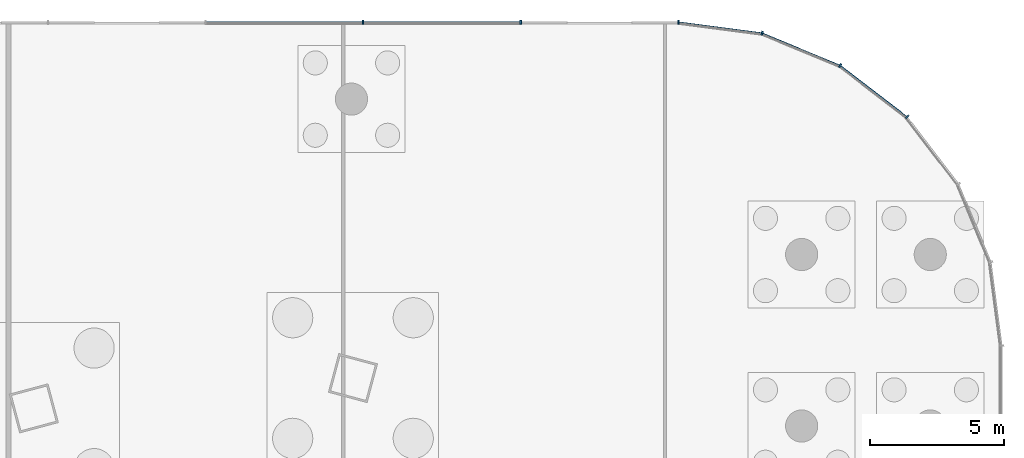
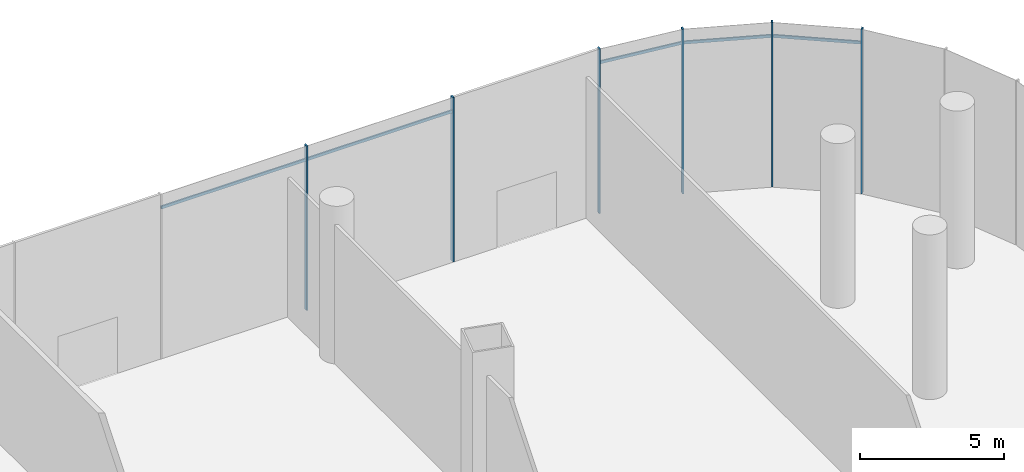
# One storey, part 20 of 41: 11 members, 1 element without a shape of its own.
"""IFC4 building model written with IfcOpenShell, lengths in metres."""

from ifc_helpers import new_model, si_unit, direction, frame, origin, origin_2d, place, context, subcontext, project, spatial, rectangle, extrude, material, material_profile, profile_set, type_object, element, aggregate, save


model = new_model("IFC4")

# Units and contexts
model_context = context("Model", 3, precision=1e-05, world=origin(), true_north=direction((0.0, 1.0)))
body_context = subcontext(model_context, "Body", "Model", "MODEL_VIEW")
ifc_project = project(units=[si_unit("LENGTHUNIT", "METRE"), si_unit("AREAUNIT", "SQUARE_METRE"), si_unit("VOLUMEUNIT", "CUBIC_METRE"), si_unit("PLANEANGLEUNIT", "RADIAN"), si_unit("MASSUNIT", "GRAM", prefix="KILO")], contexts=[model_context])

# Site, building, storey
site_placement = place(None, origin())
site = spatial("IfcSite", under=ifc_project, at=site_placement, CompositionType="ELEMENT")
building_placement = place(site_placement, origin())
building = spatial("IfcBuilding", under=site, at=building_placement, Name="Rimbun Link Towers", CompositionType="ELEMENT")
storey_placement = place(building_placement, origin())
storey = spatial("IfcBuildingStorey", under=building, at=storey_placement, Name="L00", CompositionType="ELEMENT", Elevation=0.0)

# Curtain wall, members
ifc_material_1 = material(Name="Aluminium 6063-T6 and low-iron glass", Category="aluminium")
curtain_wall_type = type_object("IfcCurtainWallType", Name="CW3 podium shopfront", PredefinedType="NOTDEFINED", material=ifc_material_1)
curtain_wall_placement = place(storey_placement, origin())
curtain_wall = element("IfcCurtainWall", 1, at=curtain_wall_placement, inside=storey, type_object=curtain_wall_type, Name="CW3 L00 PD", PredefinedType="NOTDEFINED")
ifc_material_2 = material(Name="Aluminium 6063-T6", Category="aluminium")
ifc_material_profile_1 = material_profile(ifc_material_2, rectangle(XDim=0.14990234375, YDim=0.06005859375, at=origin_2d()), Name="MULLION 60X150")
ifc_profile_set_1 = profile_set([ifc_material_profile_1], Name="Aluminium 6063-T6")
member_type_1 = type_object("IfcMemberType", Name="CW3 mullion 60X150", PredefinedType="MULLION", material=ifc_profile_set_1)
member_1_placement = place(storey_placement, frame((58.538330078125, 32.538330078125, 0.0), z_axis=(0.0, 0.0, 1.0), x_axis=(0.707106781187, 0.707106781187, 0.0)))
member_1 = element("IfcMember", 2, at=member_1_placement, type_object=member_type_1, Name="CW3 mullion", PredefinedType="MULLION", context=body_context, shape_type="SweptSolid", body=[
    extrude(rectangle(XDim=0.14990234375, YDim=0.06005859375, at=origin_2d()), origin(), (0.0, 0.0, 1.0), 7.0),
])
member_2_placement = place(storey_placement, frame((56.03759765625, 34.457275390625, 0.0), z_axis=(0.0, 0.0, 1.0), x_axis=(0.499993701568, 0.866029040155, 0.0)))
member_2 = element("IfcMember", 3, at=member_2_placement, type_object=member_type_1, Name="CW3 mullion", PredefinedType="MULLION", context=body_context, shape_type="SweptSolid", body=[
    extrude(rectangle(XDim=0.14990234375, YDim=0.06005859375, at=origin_2d()), origin(), (0.0, 0.0, 1.0), 7.0),
])
member_3_placement = place(storey_placement, frame((53.125244140625, 35.66357421875, 0.0), z_axis=(0.0, 0.0, 1.0), x_axis=(0.258818729038, 0.965925910978, 0.0)))
member_3 = element("IfcMember", 4, at=member_3_placement, type_object=member_type_1, Name="CW3 mullion", PredefinedType="MULLION", context=body_context, shape_type="SweptSolid", body=[
    extrude(rectangle(XDim=0.14990234375, YDim=0.06005859375, at=origin_2d()), origin(), (0.0, 0.0, 1.0), 7.0),
])
member_4_placement = place(storey_placement, frame((50.0048828125, 36.074951171875, 0.0), z_axis=(0.0, 0.0, 1.0), x_axis=(0.065405288299, 0.997858781723, 0.0)))
member_4 = element("IfcMember", 5, at=member_4_placement, type_object=member_type_1, Name="CW3 mullion", PredefinedType="MULLION", context=body_context, shape_type="SweptSolid", body=[
    extrude(rectangle(XDim=0.14990234375, YDim=0.06005859375, at=origin_2d()), origin(), (0.0, 0.0, 1.0), 7.0),
])
member_5_placement = place(storey_placement, frame((44.11767578125, 36.074951171875, 0.0), z_axis=(0.0, 0.0, 1.0), x_axis=(0.0, 1.0, 0.0)))
member_5 = element("IfcMember", 6, at=member_5_placement, type_object=member_type_1, Name="CW3 mullion", PredefinedType="MULLION", context=body_context, shape_type="SweptSolid", body=[
    extrude(rectangle(XDim=0.14990234375, YDim=0.06005859375, at=origin_2d()), origin(), (0.0, 0.0, 1.0), 7.0),
])
member_6_placement = place(storey_placement, frame((38.2353515625, 36.074951171875, 0.0), z_axis=(0.0, 0.0, 1.0), x_axis=(0.0, 1.0, 0.0)))
member_6 = element("IfcMember", 7, at=member_6_placement, type_object=member_type_1, Name="CW3 mullion", PredefinedType="MULLION", context=body_context, shape_type="SweptSolid", body=[
    extrude(rectangle(XDim=0.14990234375, YDim=0.06005859375, at=origin_2d()), origin(), (0.0, 0.0, 1.0), 7.0),
])
ifc_material_3 = material(Name="Aluminium 6063-T6", Category="aluminium")
ifc_material_profile_2 = material_profile(ifc_material_3, rectangle(XDim=0.06005859375, YDim=0.1201171875, at=origin_2d()), Name="TRANSOM 60X120")
ifc_profile_set_2 = profile_set([ifc_material_profile_2], Name="Aluminium 6063-T6")
member_type_2 = type_object("IfcMemberType", Name="CW3 transom 60X120", PredefinedType="USERDEFINED", material=ifc_profile_set_2)
member_7_placement = place(storey_placement, frame((56.056640625, 34.4169921875, 6.39990234375), z_axis=(0.793344129687, -0.608773432314, 0.0), x_axis=(0.608773432314, 0.793344129687, 0.0)))
member_7 = element("IfcMember", 8, at=member_7_placement, type_object=member_type_2, Name="CW3 transom", ObjectType="TRANSOM", PredefinedType="USERDEFINED", context=body_context, shape_type="SweptSolid", body=[
    extrude(rectangle(XDim=0.06005859375, YDim=0.1201171875, at=origin_2d()), origin(), (0.0, 0.0, 1.0), 3.07275390625),
])
member_8_placement = place(storey_placement, frame((53.154296875, 35.62939453125, 6.39990234375), z_axis=(0.923881248716, -0.382679289053, 0.0), x_axis=(0.382679289053, 0.923881248716, 0.0)))
member_8 = element("IfcMember", 9, at=member_8_placement, type_object=member_type_2, Name="CW3 transom", ObjectType="TRANSOM", PredefinedType="USERDEFINED", context=body_context, shape_type="SweptSolid", body=[
    extrude(rectangle(XDim=0.06005859375, YDim=0.1201171875, at=origin_2d()), origin(), (0.0, 0.0, 1.0), 3.072509765625),
])
member_9_placement = place(storey_placement, frame((50.036865234375, 36.049560546875, 6.39990234375), z_axis=(0.991441037829, -0.130555231638, 0.0), x_axis=(0.130555231638, 0.991441037829, 0.0)))
member_9 = element("IfcMember", 10, at=member_9_placement, type_object=member_type_2, Name="CW3 transom", ObjectType="TRANSOM", PredefinedType="USERDEFINED", context=body_context, shape_type="SweptSolid", body=[
    extrude(rectangle(XDim=0.06005859375, YDim=0.1201171875, at=origin_2d()), origin(), (0.0, 0.0, 1.0), 3.072509765625),
])
member_10_placement = place(storey_placement, frame((38.265380859375, 36.053955078125, 6.39990234375), z_axis=(1.0, 0.0, 0.0), x_axis=(0.0, 1.0, 0.0)))
member_10 = element("IfcMember", 11, at=member_10_placement, type_object=member_type_2, Name="CW3 transom", ObjectType="TRANSOM", PredefinedType="USERDEFINED", context=body_context, shape_type="SweptSolid", body=[
    extrude(rectangle(XDim=0.06005859375, YDim=0.1201171875, at=origin_2d()), origin(), (0.0, 0.0, 1.0), 5.822265625),
])
member_11_placement = place(storey_placement, frame((32.383056640625, 36.053955078125, 6.39990234375), z_axis=(1.0, 0.0, 0.0), x_axis=(0.0, 1.0, 0.0)))
member_11 = element("IfcMember", 12, at=member_11_placement, type_object=member_type_2, Name="CW3 transom", ObjectType="TRANSOM", PredefinedType="USERDEFINED", context=body_context, shape_type="SweptSolid", body=[
    extrude(rectangle(XDim=0.06005859375, YDim=0.1201171875, at=origin_2d()), origin(), (0.0, 0.0, 1.0), 5.822265625),
])
aggregate(curtain_wall, [member_1, member_2, member_3, member_4, member_5, member_6, member_7, member_8, member_9, member_10, member_11])

save(model, "model.ifc")
